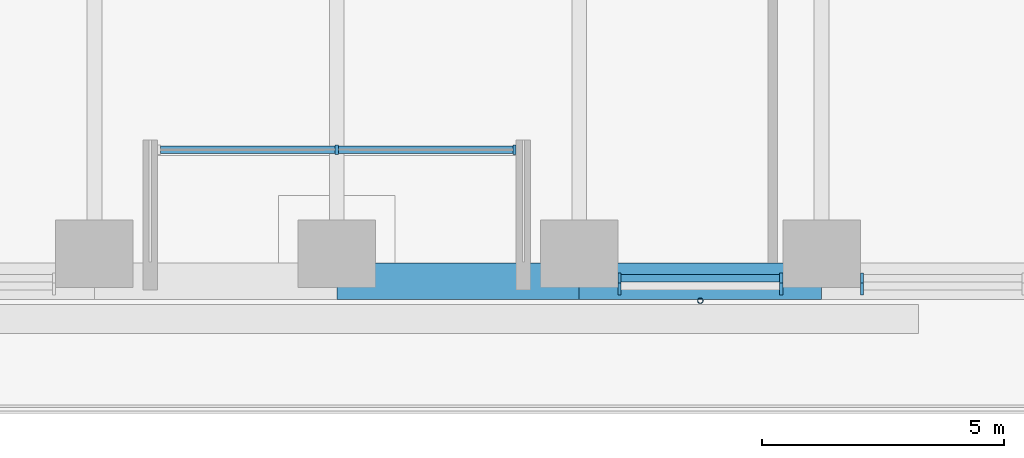
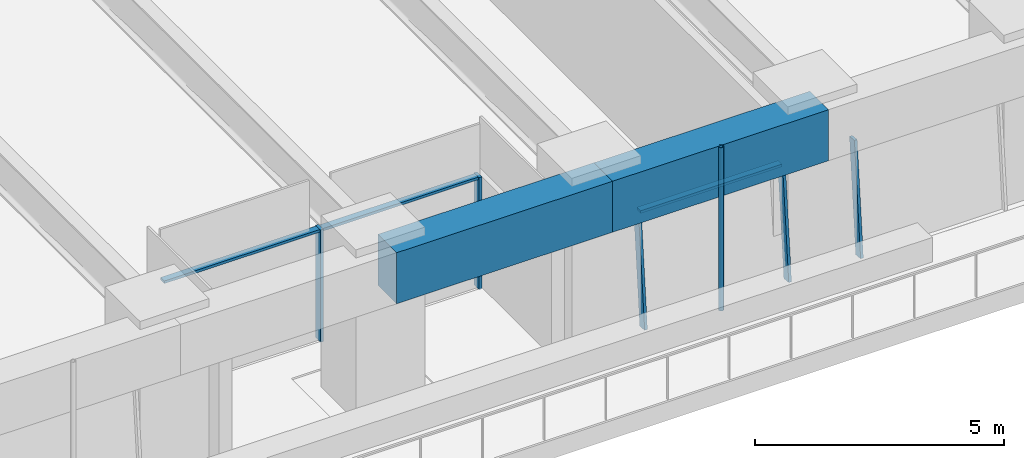
# One storey, part 4 of 24: 8 members, 2 beams, 3 elements without a shape of their own.
"""IFC4 building model written with IfcOpenShell, lengths in metres."""

from ifc_helpers import new_model, si_unit, direction, frame, origin, origin_2d, place, context, subcontext, project, spatial, rectangle, hollow_circle, extrude, material, material_profile, profile_set, type_object, element, aggregate, save


model = new_model("IFC4")

# Units and contexts
model_context = context("Model", 3, precision=1e-05, world=origin(), true_north=direction((0.0, 1.0)))
body_context = subcontext(model_context, "Body", "Model", "MODEL_VIEW")
ifc_project = project(units=[si_unit("LENGTHUNIT", "METRE"), si_unit("AREAUNIT", "SQUARE_METRE"), si_unit("VOLUMEUNIT", "CUBIC_METRE"), si_unit("PLANEANGLEUNIT", "RADIAN"), si_unit("MASSUNIT", "GRAM", prefix="KILO")], contexts=[model_context])

# Site, building, storey
site_placement = place(None, origin())
site = spatial("IfcSite", under=ifc_project, at=site_placement, CompositionType="ELEMENT")
building_placement = place(site_placement, origin())
building = spatial("IfcBuilding", under=site, at=building_placement, Name="Tarfa Lantern Tower", CompositionType="ELEMENT")
storey_placement = place(building_placement, frame((0.0, 0.0, 161.5)))
storey = spatial("IfcBuildingStorey", under=building, at=storey_placement, Name="L36", CompositionType="ELEMENT", Elevation=161.5)

# Curtain wall, members
ifc_material_1 = material(Name="Aluminium framed curtain wall", Category="aluminium")
curtain_wall_type_1 = type_object("IfcCurtainWallType", Name="CW2 CANTED GLAZING MID ZONE 2750", PredefinedType="USERDEFINED", material=ifc_material_1)
curtain_wall_1_placement = place(storey_placement, origin())
curtain_wall_1 = element("IfcCurtainWall", 1, at=curtain_wall_1_placement, inside=storey, type_object=curtain_wall_type_1, Name="CW2 SB L36", ObjectType="CURTAIN WALL", PredefinedType="USERDEFINED")
ifc_material_2 = material(Name="Aluminium mullion", Category="aluminium")
ifc_material_profile_1 = material_profile(ifc_material_2, rectangle(XDim=0.06494140625, YDim=0.199951171875, at=origin_2d()), Name="AL MULLION 65x200")
ifc_profile_set_1 = profile_set([ifc_material_profile_1], Name="Aluminium mullion")
member_type_1 = type_object("IfcMemberType", Name="CWM1 MULLION 65x200", PredefinedType="MULLION", material=ifc_profile_set_1)
member_1_placement = place(storey_placement, frame((5.836181640625, -31.39990234375, 0.0), z_axis=(0.0, 0.090535746043, 0.995893206468), x_axis=(-1.0, 0.0, 0.0)))
member_1 = element("IfcMember", 2, at=member_1_placement, type_object=member_type_1, Name="CW2 mullion 1", PredefinedType="MULLION", context=body_context, shape_type="SweptSolid", body=[
    extrude(rectangle(XDim=0.06494140625, YDim=0.199951171875, at=origin_2d()), origin(), (0.0, 0.0, 1.0), 2.76123046875),
])
member_2_placement = place(storey_placement, frame((9.1748046875, -31.39990234375, 0.0), z_axis=(0.0, 0.090535746043, 0.995893206468), x_axis=(-1.0, 0.0, 0.0)))
member_2 = element("IfcMember", 3, at=member_2_placement, type_object=member_type_1, Name="CW2 mullion 2", PredefinedType="MULLION", context=body_context, shape_type="SweptSolid", body=[
    extrude(rectangle(XDim=0.06494140625, YDim=0.199951171875, at=origin_2d()), origin(), (0.0, 0.0, 1.0), 2.76123046875),
])

# Curtain wall, member
curtain_wall_2_placement = place(storey_placement, origin())
curtain_wall_2 = element("IfcCurtainWall", 4, at=curtain_wall_2_placement, inside=storey, type_object=curtain_wall_type_1, Name="CW2 SB L36", ObjectType="CURTAIN WALL", PredefinedType="USERDEFINED")
member_3_placement = place(storey_placement, frame((10.83984375, -31.39990234375, 0.0), z_axis=(0.0, 0.090535746043, 0.995893206468), x_axis=(-1.0, 0.0, 0.0)))
member_3 = element("IfcMember", 5, at=member_3_placement, type_object=member_type_1, Name="CW2 mullion 1", PredefinedType="MULLION", context=body_context, shape_type="SweptSolid", body=[
    extrude(rectangle(XDim=0.06494140625, YDim=0.199951171875, at=origin_2d()), origin(), (0.0, 0.0, 1.0), 2.76123046875),
])
aggregate(curtain_wall_2, [member_3])

# Curtain wall, members
curtain_wall_type_2 = type_object("IfcCurtainWallType", Name="CW10 LOGGIA GLAZING 2750", PredefinedType="USERDEFINED", material=ifc_material_1)
curtain_wall_3_placement = place(storey_placement, origin())
curtain_wall_3 = element("IfcCurtainWall", 6, at=curtain_wall_3_placement, inside=storey, type_object=curtain_wall_type_2, Name="CW10 SL L36", ObjectType="CURTAIN WALL", PredefinedType="USERDEFINED")
member_4_placement = place(storey_placement, frame((0.0, -28.5, 0.0), z_axis=(0.0, 0.0, 1.0), x_axis=(1.0, 0.0, 0.0)))
member_4 = element("IfcMember", 7, at=member_4_placement, type_object=member_type_1, Name="CW10 mullion 2", PredefinedType="MULLION", context=body_context, shape_type="SweptSolid", body=[
    extrude(rectangle(XDim=0.06494140625, YDim=0.199951171875, at=origin_2d()), origin(), (0.0, 0.0, 1.0), 2.75),
])
member_5_placement = place(storey_placement, frame((3.671142578125, -28.5, 0.0), z_axis=(0.0, 0.0, 1.0), x_axis=(1.0, 0.0, 0.0)))
member_5 = element("IfcMember", 8, at=member_5_placement, type_object=member_type_1, Name="CW10 mullion 3", PredefinedType="MULLION", context=body_context, shape_type="SweptSolid", body=[
    extrude(rectangle(XDim=0.06494140625, YDim=0.199951171875, at=origin_2d()), origin(), (0.0, 0.0, 1.0), 2.75),
])

# Member
ifc_material_3 = material(Name="Aluminium transom", Category="aluminium")
ifc_material_profile_2 = material_profile(ifc_material_3, rectangle(XDim=0.14990234375, YDim=0.06494140625, at=origin_2d()), Name="AL TRANSOM 150x65")
ifc_profile_set_2 = profile_set([ifc_material_profile_2], Name="Aluminium transom")
member_type_2 = type_object("IfcMemberType", Name="CWT1 TRANSOM 150x65", PredefinedType="USERDEFINED", material=ifc_profile_set_2)
member_6_placement = place(storey_placement, frame((5.86865234375, -31.153076171875, 2.717529296875), z_axis=(1.0, 0.0, 0.0), x_axis=(0.0, 1.0, 0.0)))
member_6 = element("IfcMember", 9, at=member_6_placement, type_object=member_type_2, Name="CW2 transom 1.2", ObjectType="TRANSOM", PredefinedType="USERDEFINED", context=body_context, shape_type="SweptSolid", body=[
    extrude(rectangle(XDim=0.14990234375, YDim=0.06494140625, at=origin_2d()), origin(), (0.0, 0.0, 1.0), 3.273681640625),
])

aggregate(curtain_wall_1, [member_1, member_2, member_6])

member_7_placement = place(storey_placement, frame((-3.638671875, -28.5, 2.717529296875), z_axis=(1.0, 0.0, 0.0), x_axis=(0.0, 1.0, 0.0)))
member_7 = element("IfcMember", 10, at=member_7_placement, type_object=member_type_2, Name="CW10 transom 1.2", ObjectType="TRANSOM", PredefinedType="USERDEFINED", context=body_context, shape_type="SweptSolid", body=[
    extrude(rectangle(XDim=0.14990234375, YDim=0.06494140625, at=origin_2d()), origin(), (0.0, 0.0, 1.0), 7.27734375),
])

aggregate(curtain_wall_3, [member_4, member_5, member_7])

# Beams
ifc_material_4 = material(Name="Concrete C80/95", Category="concrete")
ifc_material_profile_3 = material_profile(ifc_material_4, rectangle(XDim=0.75, YDim=1.25, at=origin_2d()), Name="RC 750x1250")
ifc_profile_set_3 = profile_set([ifc_material_profile_3], Name="Concrete C80/95")
beam_type = type_object("IfcBeamType", Name="EB2 RC 750x1250", PredefinedType="SPANDREL", material=ifc_profile_set_3)
for number, where, z_axis, x_axis, name in (
    (11, (0.0, -31.219970703125, 3.375), (1.0, 0.0, 0.0), (0.0, 1.0, 0.0), "Edge beam S3"),
    (12, (5.003662109375, -31.219970703125, 3.375), (1.0, 0.0, 0.0), (0.0, 1.0, 0.0), "Edge beam S4"),
):
    element("IfcBeam", number, at=place(storey_placement, frame(where, z_axis=z_axis, x_axis=x_axis)), inside=storey, type_object=beam_type, Name=name, PredefinedType="SPANDREL", context=body_context, shape_type="SweptSolid", body=[
        extrude(rectangle(XDim=0.75, YDim=1.25, at=origin_2d()), origin(), (0.0, 0.0, 1.0), 5.003662109375),
    ])

# Member
ifc_material_5 = material(Name="Steel S355", Category="steel")
ifc_material_profile_4 = material_profile(ifc_material_5, hollow_circle(Radius=0.05712890625, WallThickness=0.00634765625, at=origin_2d()), Name="CHS114.3x6.3")
ifc_profile_set_4 = profile_set([ifc_material_profile_4], Name="Steel S355")
member_type_3 = type_object("IfcMemberType", Name="TR1 GREEN WALL TRELLIS CHS114.3x6.3", PredefinedType="USERDEFINED", material=ifc_profile_set_4)
member_8_placement = place(storey_placement, frame((7.505615234375, -31.6201171875, 0.0), z_axis=(0.0, 0.0, 1.0), x_axis=(1.0, 0.0, 0.0)))
element("IfcMember", 13, at=member_8_placement, inside=storey, type_object=member_type_3, Name="Trellis post S 2", ObjectType="TRELLIS", PredefinedType="USERDEFINED", context=body_context, shape_type="SweptSolid", body=[
    extrude(hollow_circle(Radius=0.05712890625, WallThickness=0.00634765625, at=origin_2d()), origin(), (0.0, 0.0, 1.0), 4.0),
])

save(model, "model.ifc")
